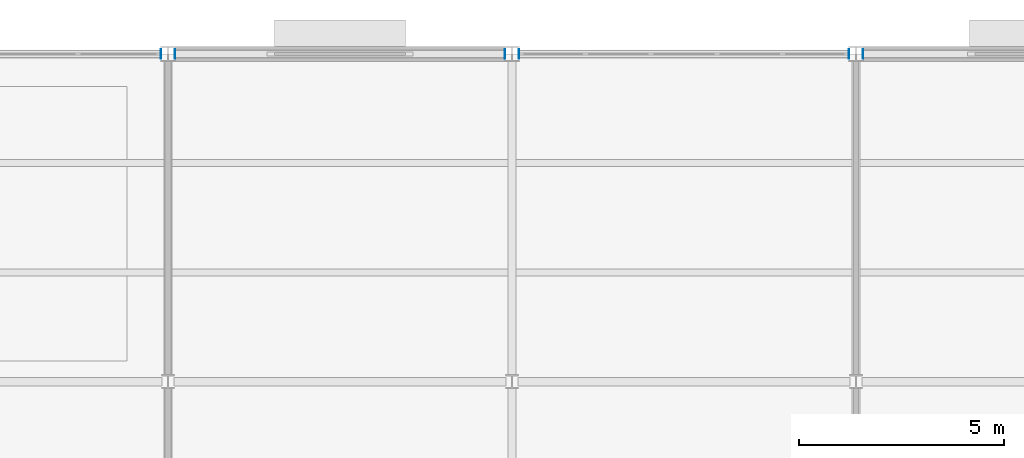
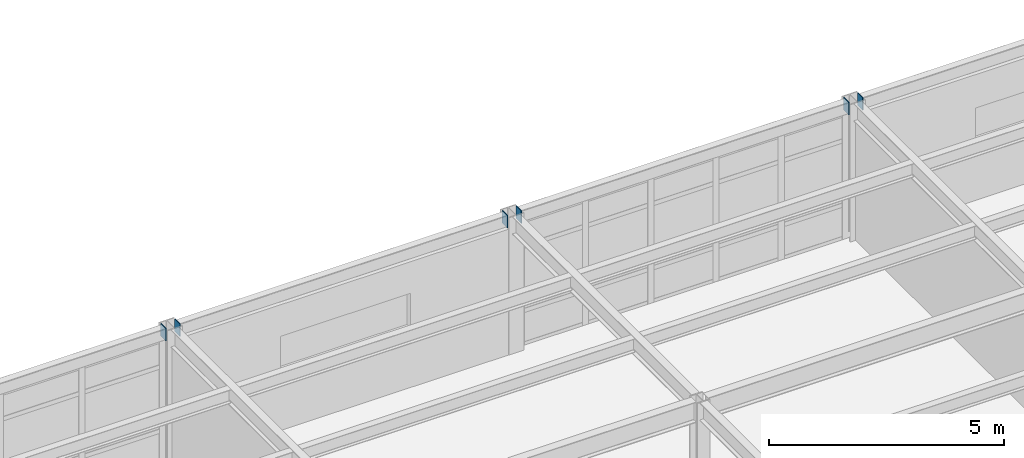
# One storey, part 87 of 96: 6 discrete accessories.
"""IFC4 building model written with IfcOpenShell, lengths in metres."""

from ifc_helpers import new_model, si_unit, direction, frame, origin, origin_2d, place, context, subcontext, project, spatial, rectangle, extrude, material, layer, layer_set, type_object, element, save


model = new_model("IFC4")

# Units and contexts
model_context = context("Model", 3, precision=1e-05, world=origin(), true_north=direction((0.0, 1.0)))
body_context = subcontext(model_context, "Body", "Model", "MODEL_VIEW")
ifc_project = project(units=[si_unit("LENGTHUNIT", "METRE"), si_unit("AREAUNIT", "SQUARE_METRE"), si_unit("VOLUMEUNIT", "CUBIC_METRE"), si_unit("PLANEANGLEUNIT", "RADIAN"), si_unit("MASSUNIT", "GRAM", prefix="KILO")], contexts=[model_context])

# Site, building, storey
site_placement = place(None, origin())
site = spatial("IfcSite", under=ifc_project, at=site_placement, CompositionType="ELEMENT")
building_placement = place(site_placement, origin())
building = spatial("IfcBuilding", under=site, at=building_placement, Name="Kranzveld Transit Interchange", CompositionType="ELEMENT")
storey_placement = place(building_placement, frame((0.0, 0.0, 9.52001953125)))
storey = spatial("IfcBuildingStorey", under=building, at=storey_placement, Name="L02", CompositionType="ELEMENT", Elevation=9.52001953125)

# Discrete accessories
ifc_material = material(Name="Steel S355JR", Category="steel")
ifc_layer = layer(ifc_material, 0.02001953125)
ifc_layer_set = layer_set([ifc_layer], Name="Steel S355JR")
discrete_accessory_type = type_object("IfcDiscreteAccessoryType", Name="Hollow Section End Cap Bracket 20 S355JR", PredefinedType="BRACKET", material=ifc_layer_set)
for number, where, z_axis, x_axis, name in (
    (1, (134.21875, 112.0, 3.419921875), (1.0, 0.0, 0.0), (0.0, 1.0, 0.0), "Hollow Section End Cap SP-RHS300-2"),
    (2, (134.581298828125, 112.0, 3.419921875), (-1.0, 0.0, 0.0), (0.0, -1.0, 0.0), "Hollow Section End Cap SP-RHS300-1"),
    (3, (142.61865234375, 112.0, 3.419921875), (1.0, 0.0, 0.0), (0.0, 1.0, 0.0), "Hollow Section End Cap SP-RHS300-2"),
    (4, (142.981201171875, 112.0, 3.419921875), (-1.0, 0.0, 0.0), (0.0, -1.0, 0.0), "Hollow Section End Cap SP-RHS300-1"),
    (5, (151.018798828125, 112.0, 3.419921875), (1.0, 0.0, 0.0), (0.0, 1.0, 0.0), "Hollow Section End Cap SP-RHS300-2"),
    (6, (151.38134765625, 112.0, 3.419921875), (-1.0, 0.0, 0.0), (0.0, -1.0, 0.0), "Hollow Section End Cap SP-RHS300-1"),
):
    element("IfcDiscreteAccessory", number, at=place(storey_placement, frame(where, z_axis=z_axis, x_axis=x_axis)), inside=storey, type_object=discrete_accessory_type, Name=name, PredefinedType="BRACKET", context=body_context, shape_type="SweptSolid", body=[
        extrude(rectangle(XDim=0.22412109375, YDim=0.323974609375, at=origin_2d()), origin(), (0.0, 0.0, 1.0), 0.02001953125),
    ])

save(model, "model.ifc")
